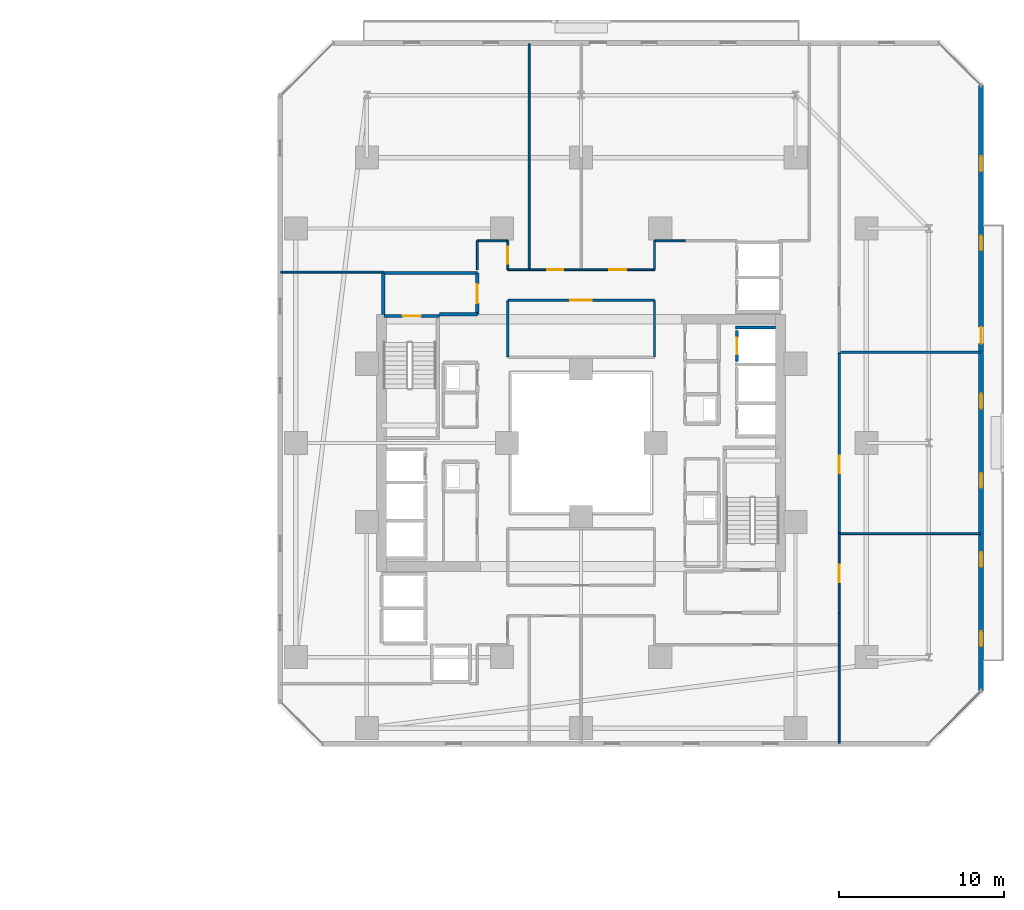
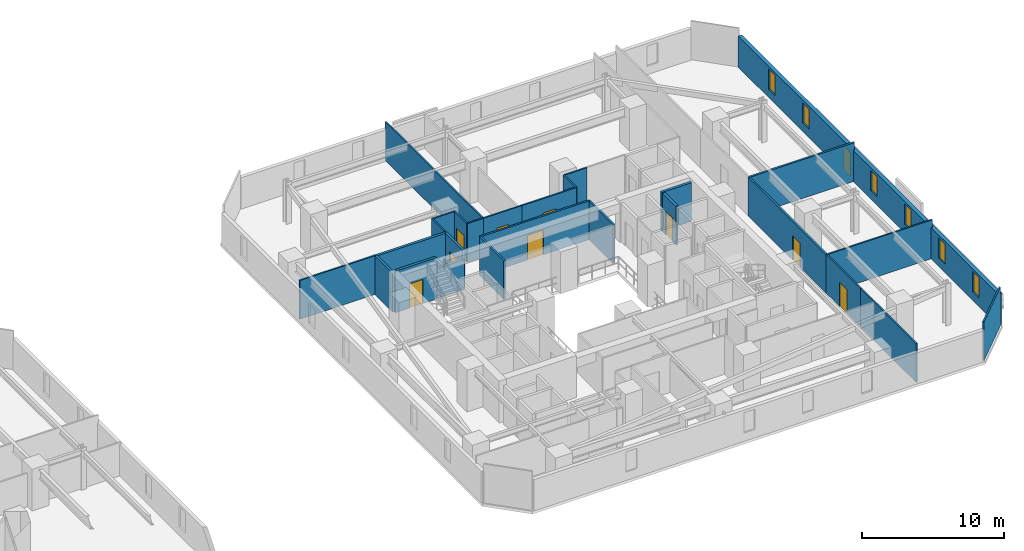
# One storey, part 26 of 34: 28 walls, 10 doors, 6 windows, 16 openings.
"""IFC4 building model written with IfcOpenShell, lengths in metres."""

from ifc_helpers import new_model, si_unit, direction, frame, frame_2d, origin, place, context, subcontext, project, spatial, rectangle, extrude, material, layer, layer_set, type_object, element, fill, save


model = new_model("IFC4")

# Units and contexts
model_context = context("Model", 3, precision=1e-05, world=origin(), true_north=direction((0.0, 1.0)))
body_context = subcontext(model_context, "Body", "Model", "MODEL_VIEW")
ifc_project = project(units=[si_unit("LENGTHUNIT", "METRE"), si_unit("AREAUNIT", "SQUARE_METRE"), si_unit("VOLUMEUNIT", "CUBIC_METRE"), si_unit("PLANEANGLEUNIT", "RADIAN"), si_unit("MASSUNIT", "GRAM", prefix="KILO")], contexts=[model_context])

# Site, building, storey
site_placement = place(None, origin())
site = spatial("IfcSite", under=ifc_project, at=site_placement, CompositionType="ELEMENT")
building_placement = place(site_placement, origin())
building = spatial("IfcBuilding", under=site, at=building_placement, Name="Thornwick Lancets Civic Towers", CompositionType="ELEMENT")
storey_placement = place(building_placement, frame((0.0, 0.0, 60.89990234375)))
storey = spatial("IfcBuildingStorey", under=building, at=storey_placement, Name="L15", CompositionType="ELEMENT", Elevation=60.89990234375)

# Wall, opening, door
ifc_material_1 = material(Name="Concrete blockwork C40/50", Category="masonry")
ifc_layer_1 = layer(ifc_material_1, 0.199951171875, Name="Concrete blockwork C40/50")
ifc_layer_set_1 = layer_set([ifc_layer_1], Name="Concrete blockwork C40/50")
wall_type_1 = type_object("IfcWallType", Name="WALL_COMP_200", PredefinedType="STANDARD", material=ifc_layer_set_1)
wall_1_placement = place(storey_placement, frame((97.949951171875, 33.820068359375, 0.0), z_axis=(0.0, 0.0, 1.0), x_axis=(0.0, -1.0, 0.0)))
wall_1 = element("IfcWall", 1, at=wall_1_placement, inside=storey, type_object=wall_type_1, Name="L15 Hoistway Front Wall PL-BL1", PredefinedType="STANDARD", context=body_context, shape_type="SweptSolid", body=[
    extrude(rectangle(XDim=1.89013671875, YDim=0.199951171875, at=frame_2d((0.945068359375, 0.0))), origin(), (0.0, 0.0, 1.0), 3.340087890625),
])
opening_1_placement = place(wall_1_placement, frame((0.43505859375, 0.0, 0.0)))
opening_1 = element("IfcOpeningElement", 2, at=opening_1_placement, cuts=wall_1, Name="Opening LD-PL-BL1", PredefinedType="OPENING", context=body_context, shape_type="SweptSolid", body=[
    extrude(rectangle(XDim=1.02001953125, YDim=2.06005859375, at=frame_2d((0.510009765625, 1.030029296875))), frame((0.0, 0.10986328125, 0.0), z_axis=(0.0, -1.0, 0.0), x_axis=(1.0, 0.0, 0.0)), (0.0, 0.0, 1.0), 0.219970703125),
])
ifc_material_2 = material(Name="Brushed bronze stainless steel", Category="steel")
door_type_1 = type_object("IfcDoorType", Name="DOOR_LIFT_SLIDE", OperationType="SLIDING_TO_LEFT", PredefinedType="DOOR", material=ifc_material_2)
door_1_placement = place(opening_1_placement, origin())
door_1 = element("IfcDoor", 3, at=door_1_placement, inside=storey, type_object=door_type_1, Name="L15 Sliding Lift Landing Door LD-PL-BL1", OperationType="SLIDING_TO_LEFT", OverallHeight=2.06005859375, OverallWidth=1.02001953125, PredefinedType="DOOR", context=body_context, shape_type="SweptSolid", body=[
    extrude(rectangle(XDim=1.02001953125, YDim=2.06005859375, at=frame_2d((0.510009765625, 1.030029296875))), frame((0.0, 0.02490234375, 0.0), z_axis=(0.0, -1.0, 0.0), x_axis=(1.0, 0.0, 0.0)), (0.0, 0.0, 1.0), 0.050048828125),
])
fill(opening_1, door_1)

# Walls
wall_2_placement = place(storey_placement, frame((97.85205078125, 34.0, 0.0), z_axis=(0.0, 0.0, 1.0), x_axis=(1.0, 0.0, 0.0)))
element("IfcWall", 4, at=wall_2_placement, inside=storey, type_object=wall_type_1, Name="L15 Hoistway Shaft Wall PL-BL1 N", PredefinedType="STANDARD", context=body_context, shape_type="SweptSolid", body=[
    extrude(rectangle(XDim=2.43603515625, YDim=0.199951171875, at=frame_2d((1.218017578125, 0.0))), origin(), (0.0, 0.0, 1.0), 3.340087890625),
])
wall_3_placement = place(storey_placement, frame((79.89990234375, 34.800048828125, 0.0), z_axis=(0.0, 0.0, 1.0), x_axis=(1.0, 0.0, 0.0)))
element("IfcWall", 5, at=wall_3_placement, inside=storey, type_object=wall_type_1, Name="L15 Partition L15-B-FFLOB2 E1", PredefinedType="STANDARD", context=body_context, shape_type="SweptSolid", body=[
    extrude(rectangle(XDim=2.300048828125, YDim=0.199951171875, at=frame_2d((1.14990234375, 0.0))), origin(), (0.0, 0.0, 1.0), 2.545166015625),
])

# Wall, opening, door
wall_4_placement = place(storey_placement, frame((82.199951171875, 34.800048828125, 0.0), z_axis=(0.0, 0.0, 1.0), x_axis=(0.0, 1.0, 0.0)))
wall_4 = element("IfcWall", 6, at=wall_4_placement, inside=storey, type_object=wall_type_1, Name="L15 Partition L15-B-FFLOB2 E2", PredefinedType="STANDARD", context=body_context, shape_type="SweptSolid", body=[
    extrude(rectangle(XDim=2.5, YDim=0.199951171875, at=frame_2d((1.25, 0.0))), origin(), (0.0, 0.0, 1.0), 3.340087890625),
])
opening_2_placement = place(wall_4_placement, frame((0.675048828125, 0.0, 0.0)))
opening_2 = element("IfcOpeningElement", 7, at=opening_2_placement, cuts=wall_4, Name="Opening D-L15-0716", PredefinedType="OPENING", context=body_context, shape_type="SweptSolid", body=[
    extrude(rectangle(XDim=1.14990234375, YDim=2.10009765625, at=frame_2d((0.574951171875, 1.050048828125))), frame((0.0, 0.10986328125, 0.0), z_axis=(0.0, -1.0, 0.0), x_axis=(1.0, 0.0, 0.0)), (0.0, 0.0, 1.0), 0.219970703125),
])
ifc_material_3 = material(Name="Glazed fire-resisting steel", Category="steel")
door_type_2 = type_object("IfcDoorType", Name="DOOR_LOBBY_FD60", OperationType="NOTDEFINED", PredefinedType="DOOR", material=ifc_material_3)
door_2_placement = place(opening_2_placement, origin())
door_2 = element("IfcDoor", 8, at=door_2_placement, inside=storey, type_object=door_type_2, Name="L15 West Firefighting Lobby 2 Door", OperationType="SINGLE_SWING_LEFT", OverallHeight=2.10009765625, OverallWidth=1.14990234375, PredefinedType="DOOR", context=body_context, shape_type="SweptSolid", body=[
    extrude(rectangle(XDim=1.14990234375, YDim=2.10009765625, at=frame_2d((0.574951171875, 1.050048828125))), frame((0.0, 0.02490234375, 0.0), z_axis=(0.0, -1.0, 0.0), x_axis=(1.0, 0.0, 0.0)), (0.0, 0.0, 1.0), 0.050048828125),
])
fill(opening_2, door_2)

# Walls
wall_5_placement = place(storey_placement, frame((82.199951171875, 37.300048828125, 0.0), z_axis=(0.0, 0.0, 1.0), x_axis=(-1.0, 0.0, 0.0)))
element("IfcWall", 9, at=wall_5_placement, inside=storey, type_object=wall_type_1, Name="L15 Partition L15-B-FFLOB2 E3", PredefinedType="STANDARD", context=body_context, shape_type="SweptSolid", body=[
    extrude(rectangle(XDim=5.699951171875, YDim=0.199951171875, at=frame_2d((2.85009765625, 0.0))), origin(), (0.0, 0.0, 1.0), 3.340087890625),
])
wall_6_placement = place(storey_placement, frame((76.5, 37.300048828125, 0.0), z_axis=(0.0, 0.0, 1.0), x_axis=(0.0, -1.0, 0.0)))
element("IfcWall", 10, at=wall_6_placement, inside=storey, type_object=wall_type_1, Name="L15 Partition L15-B-FFLOB2 E4", PredefinedType="STANDARD", context=body_context, shape_type="SweptSolid", body=[
    extrude(rectangle(XDim=2.5, YDim=0.199951171875, at=frame_2d((1.25, 0.0))), origin(), (0.0, 0.0, 1.0), 3.340087890625),
])

# Wall, openings, door, windows
ifc_material_4 = material(Name="Insulated russet terracotta rainscreen on concrete C40/50", Category="masonry")
ifc_layer_2 = layer(ifc_material_4, 0.300048828125, Name="Insulated russet terracotta rainscreen on concrete C40/50")
ifc_layer_set_2 = layer_set([ifc_layer_2], Name="Insulated russet terracotta rainscreen on concrete C40/50")
wall_type_2 = type_object("IfcWallType", Name="WALL_EXT_RUSSET_300", PredefinedType="STANDARD", material=ifc_layer_set_2)
wall_7_placement = place(storey_placement, frame((112.7626953125, 11.971435546875, 0.0), z_axis=(0.0, 0.0, 1.0), x_axis=(5.985515e-05, 0.999999998209, 0.0)))
wall_7 = element("IfcWall", 11, at=wall_7_placement, inside=storey, type_object=wall_type_2, Name="L15 Tower B Terracotta Facade Wall E2", PredefinedType="STANDARD", context=body_context, shape_type="SweptSolid", body=[
    extrude(rectangle(XDim=36.709716796875, YDim=0.300048828125, at=frame_2d((18.35498046875, 0.0))), origin(), (0.0, 0.0, 1.0), 2.7001953125),
])
opening_3_placement = place(wall_7_placement, frame((21.054931640625, 0.0, 0.0)))
opening_3 = element("IfcOpeningElement", 12, at=opening_3_placement, cuts=wall_7, Name="Opening D-BL-L15-BE", PredefinedType="OPENING", context=body_context, shape_type="SweptSolid", body=[
    extrude(rectangle(XDim=1.0, YDim=2.080078125, at=frame_2d((0.5, 1.0400390625))), frame((0.0, 0.16015625, 0.0), z_axis=(0.0, -1.0, 0.0), x_axis=(1.0, 0.0, 0.0)), (0.0, 0.0, 1.0), 0.320068359375),
])
opening_4_placement = place(wall_7_placement, frame((2.699951171875, 0.0, 0.719970703125)))
opening_4 = element("IfcOpeningElement", 13, at=opening_4_placement, cuts=wall_7, Name="Opening WL-01", PredefinedType="OPENING", context=body_context, shape_type="SweptSolid", body=[
    extrude(rectangle(XDim=0.89990234375, YDim=1.75, at=frame_2d((0.449951171875, 0.875))), frame((0.0, 0.16015625, 0.0), z_axis=(0.0, -1.0, 0.0), x_axis=(1.0, 0.0, 0.0)), (0.0, 0.0, 1.0), 0.320068359375),
])
opening_5_placement = place(wall_7_placement, frame((7.5, 0.0, 0.719970703125)))
opening_5 = element("IfcOpeningElement", 14, at=opening_5_placement, cuts=wall_7, Name="Opening WL-01", PredefinedType="OPENING", context=body_context, shape_type="SweptSolid", body=[
    extrude(rectangle(XDim=0.89990234375, YDim=1.75, at=frame_2d((0.449951171875, 0.875))), frame((0.0, 0.16015625, 0.0), z_axis=(0.0, -1.0, 0.0), x_axis=(1.0, 0.0, 0.0)), (0.0, 0.0, 1.0), 0.320068359375),
])
opening_6_placement = place(wall_7_placement, frame((12.300048828125, 0.0, 0.719970703125)))
opening_6 = element("IfcOpeningElement", 15, at=opening_6_placement, cuts=wall_7, Name="Opening WL-01", PredefinedType="OPENING", context=body_context, shape_type="SweptSolid", body=[
    extrude(rectangle(XDim=0.89990234375, YDim=1.75, at=frame_2d((0.449951171875, 0.875))), frame((0.0, 0.16015625, 0.0), z_axis=(0.0, -1.0, 0.0), x_axis=(1.0, 0.0, 0.0)), (0.0, 0.0, 1.0), 0.320068359375),
])
opening_7_placement = place(wall_7_placement, frame((17.10009765625, 0.0, 0.719970703125)))
opening_7 = element("IfcOpeningElement", 16, at=opening_7_placement, cuts=wall_7, Name="Opening WL-01", PredefinedType="OPENING", context=body_context, shape_type="SweptSolid", body=[
    extrude(rectangle(XDim=0.89990234375, YDim=1.75, at=frame_2d((0.449951171875, 0.875))), frame((0.0, 0.16015625, 0.0), z_axis=(0.0, -1.0, 0.0), x_axis=(1.0, 0.0, 0.0)), (0.0, 0.0, 1.0), 0.320068359375),
])
opening_8_placement = place(wall_7_placement, frame((26.699951171875, 0.0, 0.719970703125)))
opening_8 = element("IfcOpeningElement", 17, at=opening_8_placement, cuts=wall_7, Name="Opening WL-01", PredefinedType="OPENING", context=body_context, shape_type="SweptSolid", body=[
    extrude(rectangle(XDim=0.89990234375, YDim=1.75, at=frame_2d((0.449951171875, 0.875))), frame((0.0, 0.16015625, 0.0), z_axis=(0.0, -1.0, 0.0), x_axis=(1.0, 0.0, 0.0)), (0.0, 0.0, 1.0), 0.320068359375),
])
opening_9_placement = place(wall_7_placement, frame((31.5, 0.0, 0.719970703125)))
opening_9 = element("IfcOpeningElement", 18, at=opening_9_placement, cuts=wall_7, Name="Opening WL-01", PredefinedType="OPENING", context=body_context, shape_type="SweptSolid", body=[
    extrude(rectangle(XDim=0.89990234375, YDim=1.75, at=frame_2d((0.449951171875, 0.875))), frame((0.0, 0.16015625, 0.0), z_axis=(0.0, -1.0, 0.0), x_axis=(1.0, 0.0, 0.0)), (0.0, 0.0, 1.0), 0.320068359375),
])
ifc_material_5 = material(Name="Thermally broken glazed loggia doorset")
door_type_3 = type_object("IfcDoorType", Name="DOOR_BALC_1000", OperationType="NOTDEFINED", PredefinedType="DOOR", material=ifc_material_5)
door_3_placement = place(opening_3_placement, origin())
door_3 = element("IfcDoor", 19, at=door_3_placement, inside=storey, type_object=door_type_3, Name="L15 Tower B Loggia Balcony Door E", OperationType="SINGLE_SWING_RIGHT", OverallHeight=2.080078125, OverallWidth=1.0, PredefinedType="DOOR", context=body_context, shape_type="SweptSolid", body=[
    extrude(rectangle(XDim=1.0, YDim=2.080078125, at=frame_2d((0.5, 1.0400390625))), frame((0.0, 0.02490234375, 0.0), z_axis=(0.0, -1.0, 0.0), x_axis=(1.0, 0.0, 0.0)), (0.0, 0.0, 1.0), 0.050048828125),
])
fill(opening_3, door_3)
ifc_material_6 = material(Name="Clear low-e double glazing in bronze frame", Category="glass")
window_type = type_object("IfcWindowType", Name="WIN_LANCET_900", PartitioningType="SINGLE_PANEL", PredefinedType="WINDOW", material=ifc_material_6)
window_1_placement = place(opening_4_placement, origin())
window_1 = element("IfcWindow", 20, at=window_1_placement, inside=storey, type_object=window_type, Name="L15 Tower B Staggered Lancet Window E2-1", OverallHeight=1.75, OverallWidth=0.89990234375, PartitioningType="SINGLE_PANEL", PredefinedType="WINDOW", context=body_context, shape_type="SweptSolid", body=[
    extrude(rectangle(XDim=0.89990234375, YDim=1.75, at=frame_2d((0.449951171875, 0.875))), frame((0.0, 0.030029296875, 0.0), z_axis=(0.0, -1.0, 0.0), x_axis=(1.0, 0.0, 0.0)), (0.0, 0.0, 1.0), 0.06005859375),
])
fill(opening_4, window_1)
window_2_placement = place(opening_5_placement, origin())
window_2 = element("IfcWindow", 21, at=window_2_placement, inside=storey, type_object=window_type, Name="L15 Tower B Staggered Lancet Window E2-2", OverallHeight=1.75, OverallWidth=0.89990234375, PartitioningType="SINGLE_PANEL", PredefinedType="WINDOW", context=body_context, shape_type="SweptSolid", body=[
    extrude(rectangle(XDim=0.89990234375, YDim=1.75, at=frame_2d((0.449951171875, 0.875))), frame((0.0, 0.030029296875, 0.0), z_axis=(0.0, -1.0, 0.0), x_axis=(1.0, 0.0, 0.0)), (0.0, 0.0, 1.0), 0.06005859375),
])
fill(opening_5, window_2)
window_3_placement = place(opening_6_placement, origin())
window_3 = element("IfcWindow", 22, at=window_3_placement, inside=storey, type_object=window_type, Name="L15 Tower B Staggered Lancet Window E2-3", OverallHeight=1.75, OverallWidth=0.89990234375, PartitioningType="SINGLE_PANEL", PredefinedType="WINDOW", context=body_context, shape_type="SweptSolid", body=[
    extrude(rectangle(XDim=0.89990234375, YDim=1.75, at=frame_2d((0.449951171875, 0.875))), frame((0.0, 0.030029296875, 0.0), z_axis=(0.0, -1.0, 0.0), x_axis=(1.0, 0.0, 0.0)), (0.0, 0.0, 1.0), 0.06005859375),
])
fill(opening_6, window_3)
window_4_placement = place(opening_7_placement, origin())
window_4 = element("IfcWindow", 23, at=window_4_placement, inside=storey, type_object=window_type, Name="L15 Tower B Staggered Lancet Window E2-4", OverallHeight=1.75, OverallWidth=0.89990234375, PartitioningType="SINGLE_PANEL", PredefinedType="WINDOW", context=body_context, shape_type="SweptSolid", body=[
    extrude(rectangle(XDim=0.89990234375, YDim=1.75, at=frame_2d((0.449951171875, 0.875))), frame((0.0, 0.030029296875, 0.0), z_axis=(0.0, -1.0, 0.0), x_axis=(1.0, 0.0, 0.0)), (0.0, 0.0, 1.0), 0.06005859375),
])
fill(opening_7, window_4)
window_5_placement = place(opening_8_placement, origin())
window_5 = element("IfcWindow", 24, at=window_5_placement, inside=storey, type_object=window_type, Name="L15 Tower B Staggered Lancet Window E2-5", OverallHeight=1.75, OverallWidth=0.89990234375, PartitioningType="SINGLE_PANEL", PredefinedType="WINDOW", context=body_context, shape_type="SweptSolid", body=[
    extrude(rectangle(XDim=0.89990234375, YDim=1.75, at=frame_2d((0.449951171875, 0.875))), frame((0.0, 0.030029296875, 0.0), z_axis=(0.0, -1.0, 0.0), x_axis=(1.0, 0.0, 0.0)), (0.0, 0.0, 1.0), 0.06005859375),
])
fill(opening_8, window_5)
window_6_placement = place(opening_9_placement, origin())
window_6 = element("IfcWindow", 25, at=window_6_placement, inside=storey, type_object=window_type, Name="L15 Tower B Staggered Lancet Window E2-6", OverallHeight=1.75, OverallWidth=0.89990234375, PartitioningType="SINGLE_PANEL", PredefinedType="WINDOW", context=body_context, shape_type="SweptSolid", body=[
    extrude(rectangle(XDim=0.89990234375, YDim=1.75, at=frame_2d((0.449951171875, 0.875))), frame((0.0, 0.030029296875, 0.0), z_axis=(0.0, -1.0, 0.0), x_axis=(1.0, 0.0, 0.0)), (0.0, 0.0, 1.0), 0.06005859375),
])
fill(opening_9, window_6)

# Walls
ifc_material_7 = material(Name="Acoustic gypsum board partition")
ifc_layer_3 = layer(ifc_material_7, 0.1201171875, Name="Acoustic gypsum board partition")
ifc_layer_set_3 = layer_set([ifc_layer_3], Name="Acoustic gypsum board partition")
wall_type_3 = type_object("IfcWallType", Name="WALL_PART_120", PredefinedType="PARTITIONING", material=ifc_layer_set_3)
wall_8_placement = place(storey_placement, frame((104.14990234375, 14.75, 0.0), z_axis=(0.0, 0.0, 1.0), x_axis=(0.0, -1.0, 0.0)))
element("IfcWall", 26, at=wall_8_placement, inside=storey, type_object=wall_type_3, Name="L15 Partition L15-B-W1 E4", PredefinedType="PARTITIONING", context=body_context, shape_type="SweptSolid", body=[
    extrude(rectangle(XDim=5.969970703125, YDim=0.1201171875, at=frame_2d((2.98486328125, 0.0))), origin(), (0.0, 0.0, 1.0), 3.340087890625),
])
wall_9_placement = place(storey_placement, frame((94.800048828125, 39.25, 0.0), z_axis=(0.0, 0.0, 1.0), x_axis=(-1.0, 0.0, 0.0)))
element("IfcWall", 27, at=wall_9_placement, inside=storey, type_object=wall_type_3, Name="L15 Partition L15-B-E1 E2", PredefinedType="PARTITIONING", context=body_context, shape_type="SweptSolid", body=[
    extrude(rectangle(XDim=1.85009765625, YDim=0.1201171875, at=frame_2d((0.925048828125, 0.0))), origin(), (0.0, 0.0, 1.0), 3.340087890625),
])
wall_10_placement = place(storey_placement, frame((92.949951171875, 39.25, 0.0), z_axis=(0.0, 0.0, 1.0), x_axis=(0.0, -1.0, 0.0)))
element("IfcWall", 28, at=wall_10_placement, inside=storey, type_object=wall_type_3, Name="L15 Partition L15-B-E1 E3", PredefinedType="PARTITIONING", context=body_context, shape_type="SweptSolid", body=[
    extrude(rectangle(XDim=1.75, YDim=0.1201171875, at=frame_2d((0.875, 0.0))), origin(), (0.0, 0.0, 1.0), 3.340087890625),
])

# Wall, opening, door
wall_11_placement = place(storey_placement, frame((92.949951171875, 37.5, 0.0), z_axis=(0.0, 0.0, 1.0), x_axis=(-1.0, 0.0, 0.0)))
wall_11 = element("IfcWall", 29, at=wall_11_placement, inside=storey, type_object=wall_type_3, Name="L15 Partition L15-B-E1 E4", PredefinedType="PARTITIONING", context=body_context, shape_type="SweptSolid", body=[
    extrude(rectangle(XDim=4.449951171875, YDim=0.1201171875, at=frame_2d((2.22509765625, 0.0))), origin(), (0.0, 0.0, 1.0), 3.340087890625),
])
opening_10_placement = place(wall_11_placement, frame((1.699951171875, 0.0, 0.0)))
opening_10 = element("IfcOpeningElement", 30, at=opening_10_placement, cuts=wall_11, Name="Opening D-L15-0741", PredefinedType="OPENING", context=body_context, shape_type="SweptSolid", body=[
    extrude(rectangle(XDim=1.050048828125, YDim=2.10009765625, at=frame_2d((0.52490234375, 1.050048828125))), frame((0.0, 0.070068359375, 0.0), z_axis=(0.0, -1.0, 0.0), x_axis=(1.0, 0.0, 0.0)), (0.0, 0.0, 1.0), 0.14013671875),
])
ifc_material_8 = material(Name="Glazed European oak executive doorset")
door_type_4 = type_object("IfcDoorType", Name="DOOR_OFFICE_1050", OperationType="NOTDEFINED", PredefinedType="DOOR", material=ifc_material_8)
door_4_placement = place(opening_10_placement, origin())
door_4 = element("IfcDoor", 31, at=door_4_placement, inside=storey, type_object=door_type_4, Name="L15 Tower B Secretariat Open Office E1 Door", OperationType="SINGLE_SWING_RIGHT", OverallHeight=2.10009765625, OverallWidth=1.050048828125, PredefinedType="DOOR", context=body_context, shape_type="SweptSolid", body=[
    extrude(rectangle(XDim=1.050048828125, YDim=2.10009765625, at=frame_2d((0.52490234375, 1.050048828125))), frame((0.0, 0.02490234375, 0.0), z_axis=(0.0, -1.0, 0.0), x_axis=(1.0, 0.0, 0.0)), (0.0, 0.0, 1.0), 0.050048828125),
])
fill(opening_10, door_4)

# Wall
wall_12_placement = place(storey_placement, frame((85.35009765625, 37.5, 0.0), z_axis=(0.0, 0.0, 1.0), x_axis=(0.0, 1.0, 0.0)))
element("IfcWall", 32, at=wall_12_placement, inside=storey, type_object=wall_type_3, Name="L15 Partition L15-B-E2 E1", PredefinedType="PARTITIONING", context=body_context, shape_type="SweptSolid", body=[
    extrude(rectangle(XDim=13.719970703125, YDim=0.1201171875, at=frame_2d((6.85986328125, 0.0))), origin(), (0.0, 0.0, 1.0), 3.340087890625),
])

# Wall, opening, door
wall_13_placement = place(storey_placement, frame((88.5, 37.5, 0.0), z_axis=(0.0, 0.0, 1.0), x_axis=(-1.0, 0.0, 0.0)))
wall_13 = element("IfcWall", 33, at=wall_13_placement, inside=storey, type_object=wall_type_3, Name="L15 Partition L15-B-E2 E4", PredefinedType="PARTITIONING", context=body_context, shape_type="SweptSolid", body=[
    extrude(rectangle(XDim=3.14990234375, YDim=0.1201171875, at=frame_2d((1.574951171875, 0.0))), origin(), (0.0, 0.0, 1.0), 3.340087890625),
])
opening_11_placement = place(wall_13_placement, frame((1.10009765625, 0.0, 0.0)))
opening_11 = element("IfcOpeningElement", 34, at=opening_11_placement, cuts=wall_13, Name="Opening D-L15-0742", PredefinedType="OPENING", context=body_context, shape_type="SweptSolid", body=[
    extrude(rectangle(XDim=0.949951171875, YDim=2.10009765625, at=frame_2d((0.47509765625, 1.050048828125))), frame((0.0, 0.070068359375, 0.0), z_axis=(0.0, -1.0, 0.0), x_axis=(1.0, 0.0, 0.0)), (0.0, 0.0, 1.0), 0.14013671875),
])
ifc_material_9 = material(Name="European oak acoustic doorset")
door_type_5 = type_object("IfcDoorType", Name="DOOR_OFFICE_950", OperationType="NOTDEFINED", PredefinedType="DOOR", material=ifc_material_9)
door_5_placement = place(opening_11_placement, origin())
door_5 = element("IfcDoor", 35, at=door_5_placement, inside=storey, type_object=door_type_5, Name="L15 Tower B Visitors Reception and Waiting Door", OperationType="SINGLE_SWING_LEFT", OverallHeight=2.10009765625, OverallWidth=0.949951171875, PredefinedType="DOOR", context=body_context, shape_type="SweptSolid", body=[
    extrude(rectangle(XDim=0.949951171875, YDim=2.10009765625, at=frame_2d((0.47509765625, 1.050048828125))), frame((0.0, 0.02490234375, 0.0), z_axis=(0.0, -1.0, 0.0), x_axis=(1.0, 0.0, 0.0)), (0.0, 0.0, 1.0), 0.050048828125),
])
fill(opening_11, door_5)

wall_14_placement = place(storey_placement, frame((84.050048828125, 37.5, 0.0), z_axis=(0.0, 0.0, 1.0), x_axis=(0.0, 1.0, 0.0)))
wall_14 = element("IfcWall", 36, at=wall_14_placement, inside=storey, type_object=wall_type_3, Name="L15 Partition L15-B-E3 E1", PredefinedType="PARTITIONING", context=body_context, shape_type="SweptSolid", body=[
    extrude(rectangle(XDim=1.75, YDim=0.1201171875, at=frame_2d((0.875, 0.0))), origin(), (0.0, 0.0, 1.0), 3.340087890625),
])
opening_12_placement = place(wall_14_placement, frame((0.35009765625, 0.0, 0.0)))
opening_12 = element("IfcOpeningElement", 37, at=opening_12_placement, cuts=wall_14, Name="Opening D-L15-0743", PredefinedType="OPENING", context=body_context, shape_type="SweptSolid", body=[
    extrude(rectangle(XDim=1.050048828125, YDim=2.10009765625, at=frame_2d((0.52490234375, 1.050048828125))), frame((0.0, 0.070068359375, 0.0), z_axis=(0.0, -1.0, 0.0), x_axis=(1.0, 0.0, 0.0)), (0.0, 0.0, 1.0), 0.14013671875),
])
door_6_placement = place(opening_12_placement, origin())
door_6 = element("IfcDoor", 38, at=door_6_placement, inside=storey, type_object=door_type_4, Name="L15 Tower B Civic Seminar Room Door", OperationType="SINGLE_SWING_RIGHT", OverallHeight=2.10009765625, OverallWidth=1.050048828125, PredefinedType="DOOR", context=body_context, shape_type="SweptSolid", body=[
    extrude(rectangle(XDim=1.050048828125, YDim=2.10009765625, at=frame_2d((0.52490234375, 1.050048828125))), frame((0.0, 0.02490234375, 0.0), z_axis=(0.0, -1.0, 0.0), x_axis=(1.0, 0.0, 0.0)), (0.0, 0.0, 1.0), 0.050048828125),
])
fill(opening_12, door_6)

# Walls
wall_15_placement = place(storey_placement, frame((84.050048828125, 39.25, 0.0), z_axis=(0.0, 0.0, 1.0), x_axis=(-1.0, 0.0, 0.0)))
element("IfcWall", 39, at=wall_15_placement, inside=storey, type_object=wall_type_3, Name="L15 Partition L15-B-E3 E2", PredefinedType="PARTITIONING", context=body_context, shape_type="SweptSolid", body=[
    extrude(rectangle(XDim=1.85009765625, YDim=0.1201171875, at=frame_2d((0.925048828125, 0.0))), origin(), (0.0, 0.0, 1.0), 3.340087890625),
])
wall_16_placement = place(storey_placement, frame((82.199951171875, 39.25, 0.0), z_axis=(0.0, 0.0, 1.0), x_axis=(0.0, -1.0, 0.0)))
element("IfcWall", 40, at=wall_16_placement, inside=storey, type_object=wall_type_3, Name="L15 Partition L15-B-E3 E3", PredefinedType="PARTITIONING", context=body_context, shape_type="SweptSolid", body=[
    extrude(rectangle(XDim=1.75, YDim=0.1201171875, at=frame_2d((0.875, 0.0))), origin(), (0.0, 0.0, 1.0), 3.340087890625),
])
wall_17_placement = place(storey_placement, frame((76.5, 37.35009765625, 0.0), z_axis=(0.0, 0.0, 1.0), x_axis=(-1.0, 0.0, 0.0)))
element("IfcWall", 41, at=wall_17_placement, inside=storey, type_object=wall_type_3, Name="L15 Partition L15-B-E3 E5", PredefinedType="PARTITIONING", context=body_context, shape_type="SweptSolid", body=[
    extrude(rectangle(XDim=6.219970703125, YDim=0.1201171875, at=frame_2d((3.10986328125, 0.0))), origin(), (0.0, 0.0, 1.0), 3.340087890625),
])
wall_18_placement = place(storey_placement, frame((85.35009765625, 37.5, 0.0), z_axis=(0.0, 0.0, 1.0), x_axis=(-1.0, 0.0, 0.0)))
element("IfcWall", 42, at=wall_18_placement, inside=storey, type_object=wall_type_3, Name="L15 Partition L15-B-E3 E10", PredefinedType="PARTITIONING", context=body_context, shape_type="SweptSolid", body=[
    extrude(rectangle(XDim=1.300048828125, YDim=0.1201171875, at=frame_2d((0.64990234375, 0.0))), origin(), (0.0, 0.0, 1.0), 3.340087890625),
])
wall_19_placement = place(storey_placement, frame((104.14990234375, 14.75, 0.0), z_axis=(0.0, 0.0, 1.0), x_axis=(0.0, 1.0, 0.0)))
element("IfcWall", 43, at=wall_19_placement, inside=storey, type_object=wall_type_3, Name="L15 Partition L15-B-S-OFF1 E3", PredefinedType="PARTITIONING", context=body_context, shape_type="SweptSolid", body=[
    extrude(rectangle(XDim=1.89990234375, YDim=0.1201171875, at=frame_2d((0.949951171875, 0.0))), origin(), (0.0, 0.0, 1.0), 3.340087890625),
])

# Wall, opening, door
wall_20_placement = place(storey_placement, frame((104.14990234375, 16.64990234375, 0.0), z_axis=(0.0, 0.0, 1.0), x_axis=(0.0, 1.0, 0.0)))
wall_20 = element("IfcWall", 44, at=wall_20_placement, inside=storey, type_object=wall_type_3, Name="L15 Partition L15-B-S-OFF1 E4", PredefinedType="PARTITIONING", context=body_context, shape_type="SweptSolid", body=[
    extrude(rectangle(XDim=4.85009765625, YDim=0.1201171875, at=frame_2d((2.425048828125, 0.0))), origin(), (0.0, 0.0, 1.0), 3.340087890625),
])
opening_13_placement = place(wall_20_placement, frame((1.89990234375, 0.0, 0.0)))
opening_13 = element("IfcOpeningElement", 45, at=opening_13_placement, cuts=wall_20, Name="Opening D-L15-0746", PredefinedType="OPENING", context=body_context, shape_type="SweptSolid", body=[
    extrude(rectangle(XDim=1.050048828125, YDim=2.10009765625, at=frame_2d((0.52490234375, 1.050048828125))), frame((0.0, 0.070068359375, 0.0), z_axis=(0.0, -1.0, 0.0), x_axis=(1.0, 0.0, 0.0)), (0.0, 0.0, 1.0), 0.14013671875),
])
door_7_placement = place(opening_13_placement, origin())
door_7 = element("IfcDoor", 46, at=door_7_placement, inside=storey, type_object=door_type_4, Name="L15 Tower B South-West Division Office Door", OperationType="SINGLE_SWING_LEFT", OverallHeight=2.10009765625, OverallWidth=1.050048828125, PredefinedType="DOOR", context=body_context, shape_type="SweptSolid", body=[
    extrude(rectangle(XDim=1.050048828125, YDim=2.10009765625, at=frame_2d((0.52490234375, 1.050048828125))), frame((0.0, 0.02490234375, 0.0), z_axis=(0.0, -1.0, 0.0), x_axis=(1.0, 0.0, 0.0)), (0.0, 0.0, 1.0), 0.050048828125),
])
fill(opening_13, door_7)

# Walls
wall_21_placement = place(storey_placement, frame((104.14990234375, 21.5, 0.0), z_axis=(0.0, 0.0, 1.0), x_axis=(1.0, 0.0, 0.0)))
element("IfcWall", 47, at=wall_21_placement, inside=storey, type_object=wall_type_3, Name="L15 Partition L15-B-S-OFF1 E5", PredefinedType="PARTITIONING", context=body_context, shape_type="SweptSolid", body=[
    extrude(rectangle(XDim=8.570068359375, YDim=0.1201171875, at=frame_2d((4.28515625, 0.0))), origin(), (0.0, 0.0, 1.0), 3.340087890625),
])
wall_22_placement = place(storey_placement, frame((112.719970703125, 11.9296875, 0.0), z_axis=(0.0, 0.0, 1.0), x_axis=(-0.707106781187, -0.707106781187, 0.0)))
element("IfcWall", 48, at=wall_22_placement, inside=storey, type_object=wall_type_3, Name="L15 Partition L15-B-S-OFF1 E7", PredefinedType="PARTITIONING", context=body_context, shape_type="SweptSolid", body=[
    extrude(rectangle(XDim=4.454345703125, YDim=0.1201171875, at=frame_2d((2.22705078125, 0.0))), origin(), (0.0, 0.0, 1.0), 3.340087890625),
])
ifc_material_10 = material(Name="Twin-stud acoustic gypsum board")
ifc_layer_4 = layer(ifc_material_10, 0.14990234375, Name="Twin-stud acoustic gypsum board")
ifc_layer_set_4 = layer_set([ifc_layer_4], Name="Twin-stud acoustic gypsum board")
wall_type_4 = type_object("IfcWallType", Name="WALL_PART_150", PredefinedType="PARTITIONING", material=ifc_layer_set_4)
wall_23_placement = place(storey_placement, frame((84.050048828125, 32.199951171875, 0.0), z_axis=(0.0, 0.0, 1.0), x_axis=(0.0, 1.0, 0.0)))
element("IfcWall", 49, at=wall_23_placement, inside=storey, type_object=wall_type_4, Name="L15 Partition L15-B-ATR-E E1", PredefinedType="PARTITIONING", context=body_context, shape_type="SweptSolid", body=[
    extrude(rectangle(XDim=3.449951171875, YDim=0.14990234375, at=frame_2d((1.72509765625, 0.0))), origin(), (0.0, 0.0, 1.0), 3.340087890625),
])

# Wall, opening, door
wall_24_placement = place(storey_placement, frame((84.050048828125, 35.64990234375, 0.0), z_axis=(0.0, 0.0, 1.0), x_axis=(1.0, 0.0, 0.0)))
wall_24 = element("IfcWall", 50, at=wall_24_placement, inside=storey, type_object=wall_type_4, Name="L15 Partition L15-B-ATR-E E2", PredefinedType="PARTITIONING", context=body_context, shape_type="SweptSolid", body=[
    extrude(rectangle(XDim=8.89990234375, YDim=0.14990234375, at=frame_2d((4.449951171875, 0.0))), origin(), (0.0, 0.0, 1.0), 3.340087890625),
])
opening_14_placement = place(wall_24_placement, frame((3.800048828125, 0.0, 0.0)))
opening_14 = element("IfcOpeningElement", 51, at=opening_14_placement, cuts=wall_24, Name="Opening D-L15-0744", PredefinedType="OPENING", context=body_context, shape_type="SweptSolid", body=[
    extrude(rectangle(XDim=1.300048828125, YDim=2.1201171875, at=frame_2d((0.64990234375, 1.06005859375))), frame((0.0, 0.0849609375, 0.0), z_axis=(0.0, -1.0, 0.0), x_axis=(1.0, 0.0, 0.0)), (0.0, 0.0, 1.0), 0.169921875),
])
ifc_material_11 = material(Name="Acoustic oak leaf-and-a-half doorset")
door_type_6 = type_object("IfcDoorType", Name="DOOR_MEET_1300", OperationType="DOUBLE_DOOR_SINGLE_SWING", PredefinedType="DOOR", material=ifc_material_11)
door_8_placement = place(opening_14_placement, origin())
door_8 = element("IfcDoor", 52, at=door_8_placement, inside=storey, type_object=door_type_6, Name="L15 Tower B East Atrium Briefing Suite Door", OperationType="DOUBLE_DOOR_SINGLE_SWING", OverallHeight=2.1201171875, OverallWidth=1.300048828125, PredefinedType="DOOR", context=body_context, shape_type="SweptSolid", body=[
    extrude(rectangle(XDim=1.300048828125, YDim=2.1201171875, at=frame_2d((0.64990234375, 1.06005859375))), frame((0.0, 0.02490234375, 0.0), z_axis=(0.0, -1.0, 0.0), x_axis=(1.0, 0.0, 0.0)), (0.0, 0.0, 1.0), 0.050048828125),
])
fill(opening_14, door_8)

# Wall
wall_25_placement = place(storey_placement, frame((92.949951171875, 35.64990234375, 0.0), z_axis=(0.0, 0.0, 1.0), x_axis=(0.0, -1.0, 0.0)))
element("IfcWall", 53, at=wall_25_placement, inside=storey, type_object=wall_type_4, Name="L15 Partition L15-B-ATR-E E3", PredefinedType="PARTITIONING", context=body_context, shape_type="SweptSolid", body=[
    extrude(rectangle(XDim=3.449951171875, YDim=0.14990234375, at=frame_2d((1.72509765625, 0.0))), origin(), (0.0, 0.0, 1.0), 3.340087890625),
])

# Wall, opening, door
wall_26_placement = place(storey_placement, frame((104.14990234375, 21.5, 0.0), z_axis=(0.0, 0.0, 1.0), x_axis=(0.0, 1.0, 0.0)))
wall_26 = element("IfcWall", 54, at=wall_26_placement, inside=storey, type_object=wall_type_4, Name="L15 Partition L15-B-S-ARCH E1", PredefinedType="PARTITIONING", context=body_context, shape_type="SweptSolid", body=[
    extrude(rectangle(XDim=11.0, YDim=0.14990234375, at=frame_2d((5.5, 0.0))), origin(), (0.0, 0.0, 1.0), 3.340087890625),
])
opening_15_placement = place(wall_26_placement, frame((3.655029296875, 0.0, 0.0)))
opening_15 = element("IfcOpeningElement", 55, at=opening_15_placement, cuts=wall_26, Name="Opening D-L15-0747", PredefinedType="OPENING", context=body_context, shape_type="SweptSolid", body=[
    extrude(rectangle(XDim=1.050048828125, YDim=2.10009765625, at=frame_2d((0.52490234375, 1.050048828125))), frame((0.0, 0.0849609375, 0.0), z_axis=(0.0, -1.0, 0.0), x_axis=(1.0, 0.0, 0.0)), (0.0, 0.0, 1.0), 0.169921875),
])
door_9_placement = place(opening_15_placement, origin())
door_9 = element("IfcDoor", 56, at=door_9_placement, inside=storey, type_object=door_type_4, Name="L15 Tower B Registry and Records Archive Door", OperationType="SINGLE_SWING_RIGHT", OverallHeight=2.10009765625, OverallWidth=1.050048828125, PredefinedType="DOOR", context=body_context, shape_type="SweptSolid", body=[
    extrude(rectangle(XDim=1.050048828125, YDim=2.10009765625, at=frame_2d((0.52490234375, 1.050048828125))), frame((0.0, 0.02490234375, 0.0), z_axis=(0.0, -1.0, 0.0), x_axis=(1.0, 0.0, 0.0)), (0.0, 0.0, 1.0), 0.050048828125),
])
fill(opening_15, door_9)

# Wall
wall_27_placement = place(storey_placement, frame((104.14990234375, 32.5, 0.0), z_axis=(0.0, 0.0, 1.0), x_axis=(1.0, 0.0, 0.0)))
element("IfcWall", 57, at=wall_27_placement, inside=storey, type_object=wall_type_4, Name="L15 Partition L15-B-S-ARCH E2", PredefinedType="PARTITIONING", context=body_context, shape_type="SweptSolid", body=[
    extrude(rectangle(XDim=8.570068359375, YDim=0.14990234375, at=frame_2d((4.28515625, 0.0))), origin(), (0.0, 0.0, 1.0), 3.340087890625),
])

# Wall, opening, door
ifc_material_12 = material(Name="Concrete C40/50", Category="concrete")
ifc_layer_5 = layer(ifc_material_12, 0.199951171875, Name="Concrete C40/50")
ifc_layer_set_5 = layer_set([ifc_layer_5], Name="Concrete C40/50")
wall_type_5 = type_object("IfcWallType", Name="WALL_SHAFT_200", PredefinedType="SHEAR", material=ifc_layer_set_5)
wall_28_placement = place(storey_placement, frame((76.550048828125, 34.699951171875, 0.0), z_axis=(0.0, 0.0, 1.0), x_axis=(1.0, 0.0, 0.0)))
wall_28 = element("IfcWall", 58, at=wall_28_placement, inside=storey, type_object=wall_type_5, Name="L15 ST-B2 Fire Stair Core Wall NEAR", PredefinedType="SHEAR", context=body_context, shape_type="SweptSolid", body=[
    extrude(rectangle(XDim=3.349853515625, YDim=0.199951171875, at=frame_2d((1.6748046875, 0.0))), origin(), (0.0, 0.0, 1.0), 3.60009765625),
])
opening_16_placement = place(wall_28_placement, frame((1.125, 0.0, 0.0)))
opening_16 = element("IfcOpeningElement", 59, at=opening_16_placement, cuts=wall_28, Name="Opening D-ST-B2-L15", PredefinedType="OPENING", context=body_context, shape_type="SweptSolid", body=[
    extrude(rectangle(XDim=1.10009765625, YDim=2.10009765625, at=frame_2d((0.550048828125, 1.050048828125))), frame((0.0, 0.10986328125, 0.0), z_axis=(0.0, -1.0, 0.0), x_axis=(1.0, 0.0, 0.0)), (0.0, 0.0, 1.0), 0.219970703125),
])
ifc_material_13 = material(Name="Fire-resisting steel and hardwood", Category="steel")
door_type_7 = type_object("IfcDoorType", Name="DOOR_STAIR_FD60", OperationType="NOTDEFINED", PredefinedType="DOOR", material=ifc_material_13)
door_10_placement = place(opening_16_placement, origin())
door_10 = element("IfcDoor", 60, at=door_10_placement, inside=storey, type_object=door_type_7, Name="L15 ST-B2 Exit Stair Door", OperationType="SINGLE_SWING_LEFT", OverallHeight=2.10009765625, OverallWidth=1.10009765625, PredefinedType="DOOR", context=body_context, shape_type="SweptSolid", body=[
    extrude(rectangle(XDim=1.10009765625, YDim=2.10009765625, at=frame_2d((0.550048828125, 1.050048828125))), frame((0.0, 0.02490234375, 0.0), z_axis=(0.0, -1.0, 0.0), x_axis=(1.0, 0.0, 0.0)), (0.0, 0.0, 1.0), 0.050048828125),
])
fill(opening_16, door_10)

save(model, "model.ifc")
